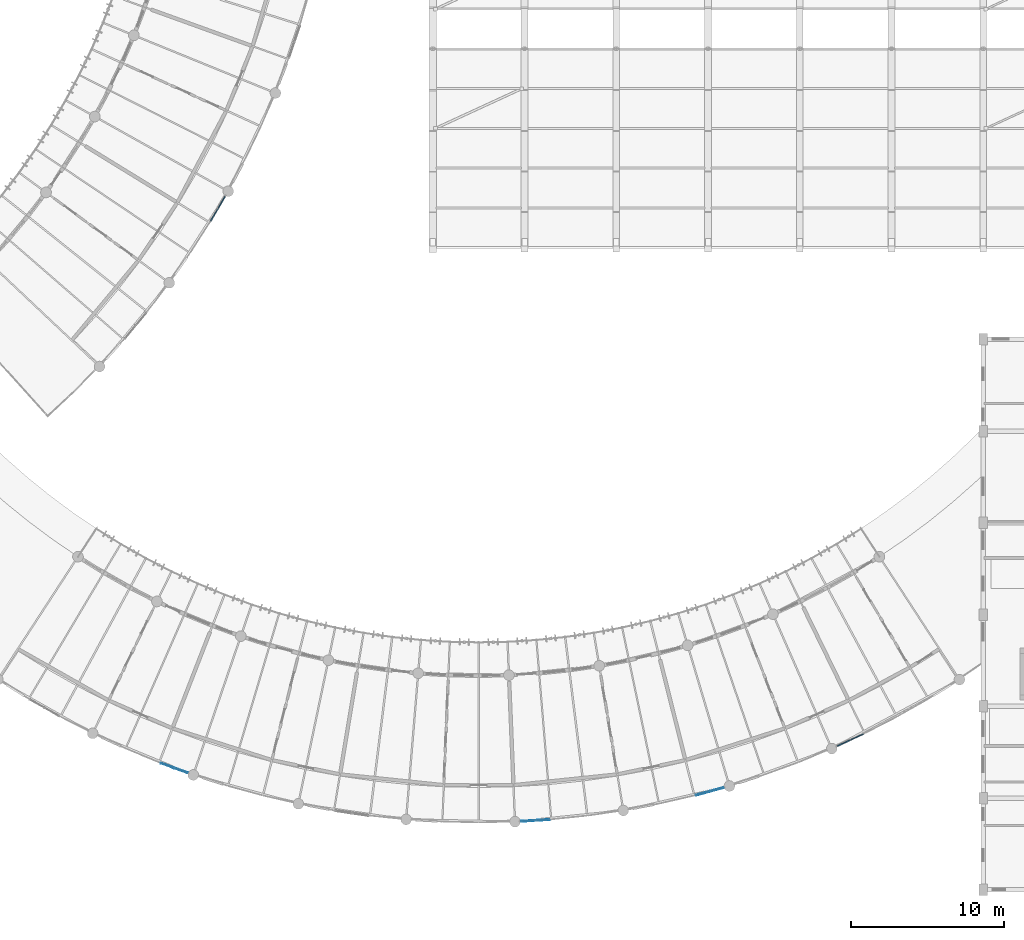
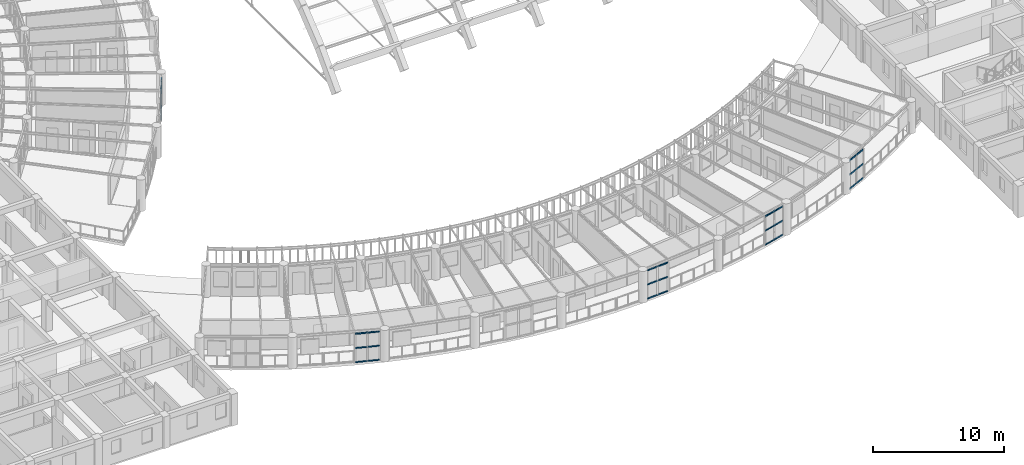
# One storey, part 58 of 123: 30 members, 5 elements without a shape of their own.
"""IFC4 building model written with IfcOpenShell, lengths in metres."""

import ifcopenshell
import ifcopenshell.guid

model = None  # the IFC model being written
_history = None  # IfcOwnerHistory: only IFC2X3 demands one
_inside = {}  # id of a spatial element -> (the spatial element, [elements in it])
_under = {}  # id of a project, library or spatial element -> (it, [spatial elements below it])
_declared = {}  # id of a project -> (the project, [libraries it declares])
_typed = {}  # id of a type object -> (the type object, [elements of that type])
_made_of = {}  # id of a material, layer set ... -> (it, [elements and type objects made of it])


def new_model(schema):
    """Start an empty IFC model of exactly this schema.

    Asked for "IFC4X3", IfcOpenShell would pick the latest addendum, in which some entities
    have other attributes; the version numbers below select the first issue.
    IFC2X3 requires an IfcOwnerHistory on every rooted entity: one is made here for all.
    """
    global model, _history
    if schema == "IFC4X3":
        model = ifcopenshell.file(schema_version=(4, 3, 0, 0))
    else:
        model = ifcopenshell.file(schema=schema)
    _inside.clear()
    _under.clear()
    _declared.clear()
    _typed.clear()
    _made_of.clear()
    _history = None
    if model.schema == "IFC2X3":
        org = make("IfcOrganization", Name="unknown")
        user = make(
            "IfcPersonAndOrganization",
            ThePerson=make("IfcPerson", FamilyName="unknown"),
            TheOrganization=org,
        )
        app = make(
            "IfcApplication",
            ApplicationDeveloper=org,
            Version="unknown",
            ApplicationFullName="unknown",
            ApplicationIdentifier="unknown",
        )
        _history = make(
            "IfcOwnerHistory",
            OwningUser=user,
            OwningApplication=app,
            ChangeAction="ADDED",
            CreationDate=0,
        )
    return model


def make(cls, **values):
    """One entity of the class cls with the attributes given. An attribute that is None is left unset."""
    return model.create_entity(
        cls, **{name: value for name, value in values.items() if value is not None}
    )


def rooted(cls, **values):
    """An entity with a GlobalId (a new one), such as an element, a storey or a relation."""
    return make(cls, GlobalId=ifcopenshell.guid.new(), OwnerHistory=_history, **values)


def si_unit(unit_type, name, prefix=None):
    """IfcSIUnit, for example si_unit("LENGTHUNIT", "METRE", prefix="MILLI")."""
    return make("IfcSIUnit", UnitType=unit_type, Prefix=prefix, Name=name)


def assignment(units):
    """IfcUnitAssignment: the units of a project."""
    return None if units is None else make("IfcUnitAssignment", Units=units)


def point(xyz):
    """IfcCartesianPoint."""
    return None if xyz is None else make("IfcCartesianPoint", Coordinates=xyz)


def direction(xyz):
    """IfcDirection."""
    return None if xyz is None else make("IfcDirection", DirectionRatios=xyz)


def frame(location, z_axis=None, x_axis=None):
    """IfcAxis2Placement3D, a coordinate frame: its origin and axes. An axis left out is left unset."""
    return make(
        "IfcAxis2Placement3D",
        Location=point(location),
        Axis=direction(z_axis),
        RefDirection=direction(x_axis),
    )


def frame_2d(location, x_axis=None):
    """IfcAxis2Placement2D, a coordinate frame in the plane: its origin and x axis."""
    return make(
        "IfcAxis2Placement2D", Location=point(location), RefDirection=direction(x_axis)
    )


def origin():
    """The frame at (0, 0, 0) with its axes left unset."""
    return frame((0.0, 0.0, 0.0))


def origin_2d():
    """The frame at (0, 0) in the plane with its x axis left unset."""
    return frame_2d((0.0, 0.0))


def place(relative_to, where):
    """IfcLocalPlacement: puts the frame where relative to a parent placement (None: the world)."""
    return make(
        "IfcLocalPlacement", PlacementRelTo=relative_to, RelativePlacement=where
    )


def context(
    kind, dimensions, precision=None, world=None, true_north=None, identifier=None
):
    """IfcGeometricRepresentationContext, for example the 3D "Model" context."""
    return make(
        "IfcGeometricRepresentationContext",
        ContextIdentifier=identifier,
        ContextType=kind,
        CoordinateSpaceDimension=dimensions,
        Precision=precision,
        WorldCoordinateSystem=world,
        TrueNorth=true_north,
    )


def subcontext(parent, identifier, kind, view, scale=None):
    """IfcGeometricRepresentationSubContext, for example "Body" below "Model"."""
    return make(
        "IfcGeometricRepresentationSubContext",
        ContextIdentifier=identifier,
        ContextType=kind,
        ParentContext=parent,
        TargetScale=scale,
        TargetView=view,
    )


def project(units=None, contexts=None):
    """IfcProject with its units and contexts."""
    return rooted(
        "IfcProject",
        Name="project",
        RepresentationContexts=contexts,
        UnitsInContext=assignment(units),
    )


def spatial(cls, under=None, at=None, **own):
    """A site, building, storey or space (cls), placed at a placement, below another one or the project."""
    s = rooted(cls, ObjectPlacement=at, **own)
    if under is not None:
        _under.setdefault(under.id(), (under, []))[1].append(s)
    return s


def profile(cls, at=None, kind="AREA", **sizes):
    """A parametric profile (cls). Its sizes go by their IFC names, for example OverallWidth=200.0."""
    return make(cls, ProfileType=kind, Position=at, **sizes)


def rectangle(**sizes):
    """IfcRectangleProfileDef."""
    return profile("IfcRectangleProfileDef", **sizes)


def extrude(swept, where, along, depth):
    """IfcExtrudedAreaSolid: the profile swept, set in the frame where, extruded along a direction by depth."""
    return make(
        "IfcExtrudedAreaSolid",
        SweptArea=swept,
        Position=where,
        ExtrudedDirection=direction(along),
        Depth=depth,
    )


def shape(context_of_items, identifier, shape_type, items):
    """IfcShapeRepresentation: the items that make up one representation, for example the "Body"."""
    return make(
        "IfcShapeRepresentation",
        ContextOfItems=context_of_items,
        RepresentationIdentifier=identifier,
        RepresentationType=shape_type,
        Items=items,
    )


def material(Name=None, Category=None):
    """IfcMaterial."""
    return make("IfcMaterial", Name=Name, Category=Category)


def layer(
    of_material, thickness, ventilated=None, Name=None, Category=None, Priority=None
):
    """IfcMaterialLayer: one layer of a wall or slab, of a material (None: an air gap)."""
    return make(
        "IfcMaterialLayer",
        Material=of_material,
        LayerThickness=thickness,
        IsVentilated=ventilated,
        Name=Name,
        Category=Category,
        Priority=Priority,
    )


def layer_set(layers, Name=None):
    """IfcMaterialLayerSet."""
    return make("IfcMaterialLayerSet", MaterialLayers=layers, LayerSetName=Name)


def material_profile(
    of_material, cross_section, Name=None, Category=None, Priority=None
):
    """IfcMaterialProfile: a cross section and its material."""
    return make(
        "IfcMaterialProfile",
        Name=Name,
        Material=of_material,
        Profile=cross_section,
        Priority=Priority,
        Category=Category,
    )


def profile_set(profiles, Name=None, composite=None):
    """IfcMaterialProfileSet."""
    return make(
        "IfcMaterialProfileSet",
        Name=Name,
        MaterialProfiles=profiles,
        CompositeProfile=composite,
    )


def made_of(thing, what):
    """Note that an element or type object is made of a material, layer set ...; save() writes the relation."""
    if what is not None:
        _made_of.setdefault(what.id(), (what, []))[1].append(thing)
    return thing


def type_object(cls, material=None, **own):
    """A type object (cls), such as IfcWallType, which elements share."""
    return made_of(rooted(cls, **own), material)


def element(
    cls,
    number,
    at=None,
    inside=None,
    cuts=None,
    type_object=None,
    material=None,
    context=None,
    identifier="Body",
    shape_type=None,
    held_by="IfcProductDefinitionShape",
    body=None,
    shapes=None,
    **own,
):
    """One element of the class cls, such as IfcWall. Its Tag is "e" and its number.

    at: its placement. inside: the storey or other place that contains it. cuts: it is an
    opening in that element (IfcRelVoidsElement). A single representation is given by context,
    identifier, shape_type and body (its items); several are given by shapes. held_by: the class
    of the entity that holds the representations. save() writes the other relations.
    """
    e = rooted(cls, Tag="e%d" % number, ObjectPlacement=at, **own)
    if body is not None:
        shapes = [shape(context, identifier, shape_type, body)]
    if shapes is not None:
        e.Representation = make(held_by, Representations=shapes)
    if inside is not None:
        _inside.setdefault(inside.id(), (inside, []))[1].append(e)
    if cuts is not None:
        rooted(
            "IfcRelVoidsElement", RelatingBuildingElement=cuts, RelatedOpeningElement=e
        )
    if type_object is not None:
        _typed.setdefault(type_object.id(), (type_object, []))[1].append(e)
    return made_of(e, material)


def aggregate(whole, parts):
    """IfcRelAggregates: a whole, such as a stair, and the parts it consists of."""
    return rooted("IfcRelAggregates", RelatingObject=whole, RelatedObjects=parts)


def save(model, path):
    """Write the relations noted so far, then the file.

    IfcRelAggregates (storeys below a building ...), IfcRelContainedInSpatialStructure (elements
    in a storey), IfcRelDefinesByType, IfcRelAssociatesMaterial and IfcRelDeclares: one each for
    every whole, place, type object, material and project.
    """
    for whole, parts in _under.values():
        aggregate(whole, parts)
    for where, things in _inside.values():
        rooted(
            "IfcRelContainedInSpatialStructure",
            RelatedElements=things,
            RelatingStructure=where,
        )
    for kind, things in _typed.values():
        rooted("IfcRelDefinesByType", RelatedObjects=things, RelatingType=kind)
    for what, things in _made_of.values():
        rooted("IfcRelAssociatesMaterial", RelatedObjects=things, RelatingMaterial=what)
    for by, libraries in _declared.values():
        rooted("IfcRelDeclares", RelatingContext=by, RelatedDefinitions=libraries)
    model.write(path)


model = new_model("IFC4")

# Units and contexts
model_context = context("Model", 3, precision=1e-05, world=origin(), true_north=direction((0.0, 1.0)))
body_context = subcontext(model_context, "Body", "Model", "MODEL_VIEW")
ifc_project = project(units=[si_unit("LENGTHUNIT", "METRE"), si_unit("AREAUNIT", "SQUARE_METRE"), si_unit("VOLUMEUNIT", "CUBIC_METRE"), si_unit("PLANEANGLEUNIT", "RADIAN"), si_unit("MASSUNIT", "GRAM", prefix="KILO"), si_unit("POWERUNIT", "WATT"), si_unit("THERMODYNAMICTEMPERATUREUNIT", "KELVIN")], contexts=[model_context])

# Site, building, storey
site_placement = place(None, origin())
site = spatial("IfcSite", under=ifc_project, at=site_placement, CompositionType="ELEMENT")
building_placement = place(site_placement, origin())
building = spatial("IfcBuilding", under=site, at=building_placement, Name="Ruvembo Vaulted Housing Court", CompositionType="ELEMENT")
storey_placement = place(building_placement, frame((0.0, 0.0, 7.699951171875)))
storey = spatial("IfcBuildingStorey", under=building, at=storey_placement, Name="L02", CompositionType="ELEMENT", Elevation=7.699951171875)

# Curtain wall, members
ifc_material_1 = material(Name="Anodised Aluminium and Solar-Control Glass", Category="aluminium")
ifc_layer_1 = layer(ifc_material_1, 0.1201171875, Name="Anodised Aluminium and Solar-Control Glass")
ifc_layer_set_1 = layer_set([ifc_layer_1], Name="Anodised Aluminium and Solar-Control Glass")
curtain_wall_type_1 = type_object("IfcCurtainWallType", Name="CW-SCOOP-GAL", PredefinedType="NOTDEFINED", material=ifc_layer_set_1)
curtain_wall_1_placement = place(storey_placement, origin())
curtain_wall_1 = element("IfcCurtainWall", 1, at=curtain_wall_1_placement, inside=storey, type_object=curtain_wall_type_1, Name="L02 Curtain Wall CW-L02-0036", PredefinedType="NOTDEFINED")
ifc_material_2 = material(Name="Anodised Aluminium 6063-T6", Category="aluminium")
ifc_material_profile_1 = material_profile(ifc_material_2, rectangle(XDim=0.06005859375, YDim=0.1201171875, at=origin_2d()), Name="ALU 60x120")
ifc_profile_set_1 = profile_set([ifc_material_profile_1], Name="Anodised Aluminium 6063-T6")
member_type_1 = type_object("IfcMemberType", Name="CW-TRANSOM-65x120", PredefinedType="USERDEFINED", material=ifc_profile_set_1)
member_1_placement = place(storey_placement, frame((48.20556640625, 8.286865234375, 0.030029296875), z_axis=(0.939124991264, -0.343575684214, 0.0), x_axis=(0.343575684214, 0.939124991264, 0.0)))
member_1 = element("IfcMember", 2, at=member_1_placement, type_object=member_type_1, Name="CW6 transom 1.1", ObjectType="TRANSOM", PredefinedType="USERDEFINED", context=body_context, shape_type="SweptSolid", body=[
    extrude(rectangle(XDim=0.06005859375, YDim=0.1201171875, at=origin_2d()), origin(), (0.0, 0.0, 1.0), 0.898193359375),
])
member_2_placement = place(storey_placement, frame((48.20556640625, 8.286865234375, 1.34912109375), z_axis=(0.939124991264, -0.343575684214, 0.0), x_axis=(0.343575684214, 0.939124991264, 0.0)))
member_2 = element("IfcMember", 3, at=member_2_placement, type_object=member_type_1, Name="CW6 transom 1.2", ObjectType="TRANSOM", PredefinedType="USERDEFINED", context=body_context, shape_type="SweptSolid", body=[
    extrude(rectangle(XDim=0.06005859375, YDim=0.1201171875, at=origin_2d()), origin(), (0.0, 0.0, 1.0), 0.898193359375),
])
member_3_placement = place(storey_placement, frame((48.20556640625, 8.286865234375, 2.66796875), z_axis=(0.939124991264, -0.343575684214, 0.0), x_axis=(0.343575684214, 0.939124991264, 0.0)))
member_3 = element("IfcMember", 4, at=member_3_placement, type_object=member_type_1, Name="CW6 transom 1.3", ObjectType="TRANSOM", PredefinedType="USERDEFINED", context=body_context, shape_type="SweptSolid", body=[
    extrude(rectangle(XDim=0.06005859375, YDim=0.1201171875, at=origin_2d()), origin(), (0.0, 0.0, 1.0), 0.898193359375),
])
member_4_placement = place(storey_placement, frame((49.105224609375, 7.957763671875, 0.030029296875), z_axis=(0.939124991264, -0.343575684214, 0.0), x_axis=(0.343575684214, 0.939124991264, 0.0)))
member_4 = element("IfcMember", 5, at=member_4_placement, type_object=member_type_1, Name="CW6 transom 2.1", ObjectType="TRANSOM", PredefinedType="USERDEFINED", context=body_context, shape_type="SweptSolid", body=[
    extrude(rectangle(XDim=0.06005859375, YDim=0.1201171875, at=origin_2d()), origin(), (0.0, 0.0, 1.0), 0.898193359375),
])
member_5_placement = place(storey_placement, frame((49.105224609375, 7.957763671875, 1.34912109375), z_axis=(0.939124991264, -0.343575684214, 0.0), x_axis=(0.343575684214, 0.939124991264, 0.0)))
member_5 = element("IfcMember", 6, at=member_5_placement, type_object=member_type_1, Name="CW6 transom 2.2", ObjectType="TRANSOM", PredefinedType="USERDEFINED", context=body_context, shape_type="SweptSolid", body=[
    extrude(rectangle(XDim=0.06005859375, YDim=0.1201171875, at=origin_2d()), origin(), (0.0, 0.0, 1.0), 0.898193359375),
])
member_6_placement = place(storey_placement, frame((49.105224609375, 7.957763671875, 2.66796875), z_axis=(0.939124991264, -0.343575684214, 0.0), x_axis=(0.343575684214, 0.939124991264, 0.0)))
member_6 = element("IfcMember", 7, at=member_6_placement, type_object=member_type_1, Name="CW6 transom 2.3", ObjectType="TRANSOM", PredefinedType="USERDEFINED", context=body_context, shape_type="SweptSolid", body=[
    extrude(rectangle(XDim=0.06005859375, YDim=0.1201171875, at=origin_2d()), origin(), (0.0, 0.0, 1.0), 0.898193359375),
])
aggregate(curtain_wall_1, [member_1, member_2, member_3, member_4, member_5, member_6])

ifc_layer_2 = layer(ifc_material_1, 0.139892578125, Name="Anodised Aluminium and Solar-Control Glass")
ifc_layer_set_2 = layer_set([ifc_layer_2], Name="Anodised Aluminium and Solar-Control Glass")
curtain_wall_type_2 = type_object("IfcCurtainWallType", Name="CW-SCOOP-PAN", PredefinedType="NOTDEFINED", material=ifc_layer_set_2)
curtain_wall_2_placement = place(storey_placement, origin())
curtain_wall_2 = element("IfcCurtainWall", 8, at=curtain_wall_2_placement, inside=storey, type_object=curtain_wall_type_2, Name="L02 Curtain Wall CW-L02-0039", PredefinedType="NOTDEFINED")
member_7_placement = place(storey_placement, frame((83.213134765625, 6.183349609375, 0.030029296875), z_axis=(0.964320750149, 0.264736644296, 0.0), x_axis=(-0.264736644296, 0.964320750149, 0.0)))
member_7 = element("IfcMember", 9, at=member_7_placement, type_object=member_type_1, Name="CW10 transom 1.1", ObjectType="TRANSOM", PredefinedType="USERDEFINED", context=body_context, shape_type="SweptSolid", body=[
    extrude(rectangle(XDim=0.06005859375, YDim=0.1201171875, at=origin_2d()), origin(), (0.0, 0.0, 1.0), 0.905517578125),
])
member_8_placement = place(storey_placement, frame((83.213134765625, 6.183349609375, 1.34912109375), z_axis=(0.964320750149, 0.264736644296, 0.0), x_axis=(-0.264736644296, 0.964320750149, 0.0)))
member_8 = element("IfcMember", 10, at=member_8_placement, type_object=member_type_1, Name="CW10 transom 1.2", ObjectType="TRANSOM", PredefinedType="USERDEFINED", context=body_context, shape_type="SweptSolid", body=[
    extrude(rectangle(XDim=0.06005859375, YDim=0.1201171875, at=origin_2d()), origin(), (0.0, 0.0, 1.0), 0.905517578125),
])
member_9_placement = place(storey_placement, frame((83.213134765625, 6.183349609375, 2.66796875), z_axis=(0.964320750149, 0.264736644296, 0.0), x_axis=(-0.264736644296, 0.964320750149, 0.0)))
member_9 = element("IfcMember", 11, at=member_9_placement, type_object=member_type_1, Name="CW10 transom 1.3", ObjectType="TRANSOM", PredefinedType="USERDEFINED", context=body_context, shape_type="SweptSolid", body=[
    extrude(rectangle(XDim=0.06005859375, YDim=0.1201171875, at=origin_2d()), origin(), (0.0, 0.0, 1.0), 0.905517578125),
])
member_10_placement = place(storey_placement, frame((84.139404296875, 6.437744140625, 0.030029296875), z_axis=(0.964232962637, 0.265056208689, 0.0), x_axis=(-0.265056208689, 0.964232962637, 0.0)))
member_10 = element("IfcMember", 12, at=member_10_placement, type_object=member_type_1, Name="CW10 transom 2.1", ObjectType="TRANSOM", PredefinedType="USERDEFINED", context=body_context, shape_type="SweptSolid", body=[
    extrude(rectangle(XDim=0.06005859375, YDim=0.1201171875, at=origin_2d()), origin(), (0.0, 0.0, 1.0), 0.905517578125),
])
member_11_placement = place(storey_placement, frame((84.139404296875, 6.437744140625, 1.34912109375), z_axis=(0.964232962637, 0.265056208689, 0.0), x_axis=(-0.265056208689, 0.964232962637, 0.0)))
member_11 = element("IfcMember", 13, at=member_11_placement, type_object=member_type_1, Name="CW10 transom 2.2", ObjectType="TRANSOM", PredefinedType="USERDEFINED", context=body_context, shape_type="SweptSolid", body=[
    extrude(rectangle(XDim=0.06005859375, YDim=0.1201171875, at=origin_2d()), origin(), (0.0, 0.0, 1.0), 0.905517578125),
])
member_12_placement = place(storey_placement, frame((84.139404296875, 6.437744140625, 2.66796875), z_axis=(0.964232962637, 0.265056208689, 0.0), x_axis=(-0.265056208689, 0.964232962637, 0.0)))
member_12 = element("IfcMember", 14, at=member_12_placement, type_object=member_type_1, Name="CW10 transom 2.3", ObjectType="TRANSOM", PredefinedType="USERDEFINED", context=body_context, shape_type="SweptSolid", body=[
    extrude(rectangle(XDim=0.06005859375, YDim=0.1201171875, at=origin_2d()), origin(), (0.0, 0.0, 1.0), 0.905517578125),
])
aggregate(curtain_wall_2, [member_7, member_8, member_9, member_10, member_11, member_12])

curtain_wall_3_placement = place(storey_placement, origin())
curtain_wall_3 = element("IfcCurtainWall", 15, at=curtain_wall_3_placement, inside=storey, type_object=curtain_wall_type_1, Name="L02 Curtain Wall CW-L02-0014", PredefinedType="NOTDEFINED")
ifc_material_profile_2 = material_profile(ifc_material_2, rectangle(XDim=0.06005859375, YDim=0.10009765625, at=origin_2d()), Name="ALU 60x100")
ifc_profile_set_2 = profile_set([ifc_material_profile_2], Name="Anodised Aluminium 6063-T6")
member_type_2 = type_object("IfcMemberType", Name="CW-TRN-60x100", PredefinedType="USERDEFINED", material=ifc_profile_set_2)
member_13_placement = place(storey_placement, frame((51.476806640625, 43.738037109375, 0.030029296875), z_axis=(0.505965672831, 0.862553614517, 0.0), x_axis=(-0.862553614517, 0.505965672831, 0.0)))
member_13 = element("IfcMember", 16, at=member_13_placement, type_object=member_type_2, Name="CW6 transom 1.1", ObjectType="TRANSOM", PredefinedType="USERDEFINED", context=body_context, shape_type="SweptSolid", body=[
    extrude(rectangle(XDim=0.06005859375, YDim=0.10009765625, at=origin_2d()), origin(), (0.0, 0.0, 1.0), 0.890625),
])
member_14_placement = place(storey_placement, frame((51.476806640625, 43.738037109375, 1.34912109375), z_axis=(0.505965672831, 0.862553614517, 0.0), x_axis=(-0.862553614517, 0.505965672831, 0.0)))
member_14 = element("IfcMember", 17, at=member_14_placement, type_object=member_type_2, Name="CW6 transom 1.2", ObjectType="TRANSOM", PredefinedType="USERDEFINED", context=body_context, shape_type="SweptSolid", body=[
    extrude(rectangle(XDim=0.06005859375, YDim=0.10009765625, at=origin_2d()), origin(), (0.0, 0.0, 1.0), 0.890625),
])
member_15_placement = place(storey_placement, frame((51.476806640625, 43.738037109375, 2.66796875), z_axis=(0.505965672831, 0.862553614517, 0.0), x_axis=(-0.862553614517, 0.505965672831, 0.0)))
member_15 = element("IfcMember", 18, at=member_15_placement, type_object=member_type_2, Name="CW6 transom 1.3", ObjectType="TRANSOM", PredefinedType="USERDEFINED", context=body_context, shape_type="SweptSolid", body=[
    extrude(rectangle(XDim=0.06005859375, YDim=0.10009765625, at=origin_2d()), origin(), (0.0, 0.0, 1.0), 0.890625),
])
member_16_placement = place(storey_placement, frame((51.960205078125, 44.5625, 0.030029296875), z_axis=(0.505965672831, 0.862553614517, 0.0), x_axis=(-0.862553614517, 0.505965672831, 0.0)))
member_16 = element("IfcMember", 19, at=member_16_placement, type_object=member_type_2, Name="CW6 transom 2.1", ObjectType="TRANSOM", PredefinedType="USERDEFINED", context=body_context, shape_type="SweptSolid", body=[
    extrude(rectangle(XDim=0.06005859375, YDim=0.10009765625, at=origin_2d()), origin(), (0.0, 0.0, 1.0), 0.890625),
])
member_17_placement = place(storey_placement, frame((51.960205078125, 44.5625, 1.34912109375), z_axis=(0.505965672831, 0.862553614517, 0.0), x_axis=(-0.862553614517, 0.505965672831, 0.0)))
member_17 = element("IfcMember", 20, at=member_17_placement, type_object=member_type_2, Name="CW6 transom 2.2", ObjectType="TRANSOM", PredefinedType="USERDEFINED", context=body_context, shape_type="SweptSolid", body=[
    extrude(rectangle(XDim=0.06005859375, YDim=0.10009765625, at=origin_2d()), origin(), (0.0, 0.0, 1.0), 0.890625),
])
member_18_placement = place(storey_placement, frame((51.960205078125, 44.5625, 2.66796875), z_axis=(0.505965672831, 0.862553614517, 0.0), x_axis=(-0.862553614517, 0.505965672831, 0.0)))
member_18 = element("IfcMember", 21, at=member_18_placement, type_object=member_type_2, Name="CW6 transom 2.3", ObjectType="TRANSOM", PredefinedType="USERDEFINED", context=body_context, shape_type="SweptSolid", body=[
    extrude(rectangle(XDim=0.06005859375, YDim=0.10009765625, at=origin_2d()), origin(), (0.0, 0.0, 1.0), 0.890625),
])
aggregate(curtain_wall_3, [member_13, member_14, member_15, member_16, member_17, member_18])

curtain_wall_4_placement = place(storey_placement, origin())
curtain_wall_4 = element("IfcCurtainWall", 22, at=curtain_wall_4_placement, inside=storey, type_object=curtain_wall_type_1, Name="L02 Curtain Wall CW-L02-0038", PredefinedType="NOTDEFINED")
member_19_placement = place(storey_placement, frame((71.789794921875, 4.474609375, 0.030029296875), z_axis=(0.998078100366, 0.061968585352, 0.0), x_axis=(-0.061968585352, 0.998078100366, 0.0)))
member_19 = element("IfcMember", 23, at=member_19_placement, type_object=member_type_2, Name="CW6 transom 1.1", ObjectType="TRANSOM", PredefinedType="USERDEFINED", context=body_context, shape_type="SweptSolid", body=[
    extrude(rectangle(XDim=0.06005859375, YDim=0.10009765625, at=origin_2d()), origin(), (0.0, 0.0, 1.0), 0.890380859375),
])
member_20_placement = place(storey_placement, frame((71.789794921875, 4.474609375, 1.34912109375), z_axis=(0.998078100366, 0.061968585352, 0.0), x_axis=(-0.061968585352, 0.998078100366, 0.0)))
member_20 = element("IfcMember", 24, at=member_20_placement, type_object=member_type_2, Name="CW6 transom 1.2", ObjectType="TRANSOM", PredefinedType="USERDEFINED", context=body_context, shape_type="SweptSolid", body=[
    extrude(rectangle(XDim=0.06005859375, YDim=0.10009765625, at=origin_2d()), origin(), (0.0, 0.0, 1.0), 0.890380859375),
])
member_21_placement = place(storey_placement, frame((71.789794921875, 4.474609375, 2.66796875), z_axis=(0.998078100366, 0.061968585352, 0.0), x_axis=(-0.061968585352, 0.998078100366, 0.0)))
member_21 = element("IfcMember", 25, at=member_21_placement, type_object=member_type_2, Name="CW6 transom 1.3", ObjectType="TRANSOM", PredefinedType="USERDEFINED", context=body_context, shape_type="SweptSolid", body=[
    extrude(rectangle(XDim=0.06005859375, YDim=0.10009765625, at=origin_2d()), origin(), (0.0, 0.0, 1.0), 0.890380859375),
])
member_22_placement = place(storey_placement, frame((72.743408203125, 4.53369140625, 0.030029296875), z_axis=(0.99807915288, 0.061951631022, 0.0), x_axis=(-0.061951631022, 0.99807915288, 0.0)))
member_22 = element("IfcMember", 26, at=member_22_placement, type_object=member_type_2, Name="CW6 transom 2.1", ObjectType="TRANSOM", PredefinedType="USERDEFINED", context=body_context, shape_type="SweptSolid", body=[
    extrude(rectangle(XDim=0.06005859375, YDim=0.10009765625, at=origin_2d()), origin(), (0.0, 0.0, 1.0), 0.890625),
])
member_23_placement = place(storey_placement, frame((72.743408203125, 4.53369140625, 1.34912109375), z_axis=(0.99807915288, 0.061951631022, 0.0), x_axis=(-0.061951631022, 0.99807915288, 0.0)))
member_23 = element("IfcMember", 27, at=member_23_placement, type_object=member_type_2, Name="CW6 transom 2.2", ObjectType="TRANSOM", PredefinedType="USERDEFINED", context=body_context, shape_type="SweptSolid", body=[
    extrude(rectangle(XDim=0.06005859375, YDim=0.10009765625, at=origin_2d()), origin(), (0.0, 0.0, 1.0), 0.890625),
])
member_24_placement = place(storey_placement, frame((72.743408203125, 4.53369140625, 2.66796875), z_axis=(0.99807915288, 0.061951631022, 0.0), x_axis=(-0.061951631022, 0.99807915288, 0.0)))
member_24 = element("IfcMember", 28, at=member_24_placement, type_object=member_type_2, Name="CW6 transom 2.3", ObjectType="TRANSOM", PredefinedType="USERDEFINED", context=body_context, shape_type="SweptSolid", body=[
    extrude(rectangle(XDim=0.06005859375, YDim=0.10009765625, at=origin_2d()), origin(), (0.0, 0.0, 1.0), 0.890625),
])
aggregate(curtain_wall_4, [member_19, member_20, member_21, member_22, member_23, member_24])

curtain_wall_5_placement = place(storey_placement, origin())
curtain_wall_5 = element("IfcCurtainWall", 29, at=curtain_wall_5_placement, inside=storey, type_object=curtain_wall_type_2, Name="L02 Curtain Wall CW-L02-0040", PredefinedType="NOTDEFINED")
ifc_material_profile_3 = material_profile(ifc_material_2, rectangle(XDim=0.06494140625, YDim=0.135009765625, at=origin_2d()), Name="ALU 65x135")
ifc_profile_set_3 = profile_set([ifc_material_profile_3], Name="Anodised Aluminium 6063-T6")
member_type_3 = type_object("IfcMemberType", Name="CW-TRN-65x135", PredefinedType="USERDEFINED", material=ifc_profile_set_3)
member_25_placement = place(storey_placement, frame((92.4658203125, 9.404296875, 0.032470703125), z_axis=(0.907608910799, 0.419816704096, 0.0), x_axis=(-0.419816704096, 0.907608910799, 0.0)))
member_25 = element("IfcMember", 30, at=member_25_placement, type_object=member_type_3, Name="CW10 transom 1.1", ObjectType="TRANSOM", PredefinedType="USERDEFINED", context=body_context, shape_type="SweptSolid", body=[
    extrude(rectangle(XDim=0.06494140625, YDim=0.135009765625, at=origin_2d()), origin(), (0.0, 0.0, 1.0), 0.89794921875),
])
member_26_placement = place(storey_placement, frame((92.4658203125, 9.404296875, 1.34912109375), z_axis=(0.907608910799, 0.419816704096, 0.0), x_axis=(-0.419816704096, 0.907608910799, 0.0)))
member_26 = element("IfcMember", 31, at=member_26_placement, type_object=member_type_3, Name="CW10 transom 1.2", ObjectType="TRANSOM", PredefinedType="USERDEFINED", context=body_context, shape_type="SweptSolid", body=[
    extrude(rectangle(XDim=0.06494140625, YDim=0.135009765625, at=origin_2d()), origin(), (0.0, 0.0, 1.0), 0.89794921875),
])
member_27_placement = place(storey_placement, frame((92.4658203125, 9.404296875, 2.66552734375), z_axis=(0.907608910799, 0.419816704096, 0.0), x_axis=(-0.419816704096, 0.907608910799, 0.0)))
member_27 = element("IfcMember", 32, at=member_27_placement, type_object=member_type_3, Name="CW10 transom 1.3", ObjectType="TRANSOM", PredefinedType="USERDEFINED", context=body_context, shape_type="SweptSolid", body=[
    extrude(rectangle(XDim=0.06494140625, YDim=0.135009765625, at=origin_2d()), origin(), (0.0, 0.0, 1.0), 0.89794921875),
])
member_28_placement = place(storey_placement, frame((93.335205078125, 9.806396484375, 0.032470703125), z_axis=(0.907656814725, 0.419713124269, 0.0), x_axis=(-0.419713124269, 0.907656814725, 0.0)))
member_28 = element("IfcMember", 33, at=member_28_placement, type_object=member_type_3, Name="CW10 transom 2.1", ObjectType="TRANSOM", PredefinedType="USERDEFINED", context=body_context, shape_type="SweptSolid", body=[
    extrude(rectangle(XDim=0.06494140625, YDim=0.135009765625, at=origin_2d()), origin(), (0.0, 0.0, 1.0), 0.898193359375),
])
member_29_placement = place(storey_placement, frame((93.335205078125, 9.806396484375, 1.34912109375), z_axis=(0.907656814725, 0.419713124269, 0.0), x_axis=(-0.419713124269, 0.907656814725, 0.0)))
member_29 = element("IfcMember", 34, at=member_29_placement, type_object=member_type_3, Name="CW10 transom 2.2", ObjectType="TRANSOM", PredefinedType="USERDEFINED", context=body_context, shape_type="SweptSolid", body=[
    extrude(rectangle(XDim=0.06494140625, YDim=0.135009765625, at=origin_2d()), origin(), (0.0, 0.0, 1.0), 0.898193359375),
])
member_30_placement = place(storey_placement, frame((93.335205078125, 9.806396484375, 2.66552734375), z_axis=(0.907656814725, 0.419713124269, 0.0), x_axis=(-0.419713124269, 0.907656814725, 0.0)))
member_30 = element("IfcMember", 35, at=member_30_placement, type_object=member_type_3, Name="CW10 transom 2.3", ObjectType="TRANSOM", PredefinedType="USERDEFINED", context=body_context, shape_type="SweptSolid", body=[
    extrude(rectangle(XDim=0.06494140625, YDim=0.135009765625, at=origin_2d()), origin(), (0.0, 0.0, 1.0), 0.898193359375),
])
aggregate(curtain_wall_5, [member_25, member_26, member_27, member_28, member_29, member_30])

save(model, "model.ifc")
